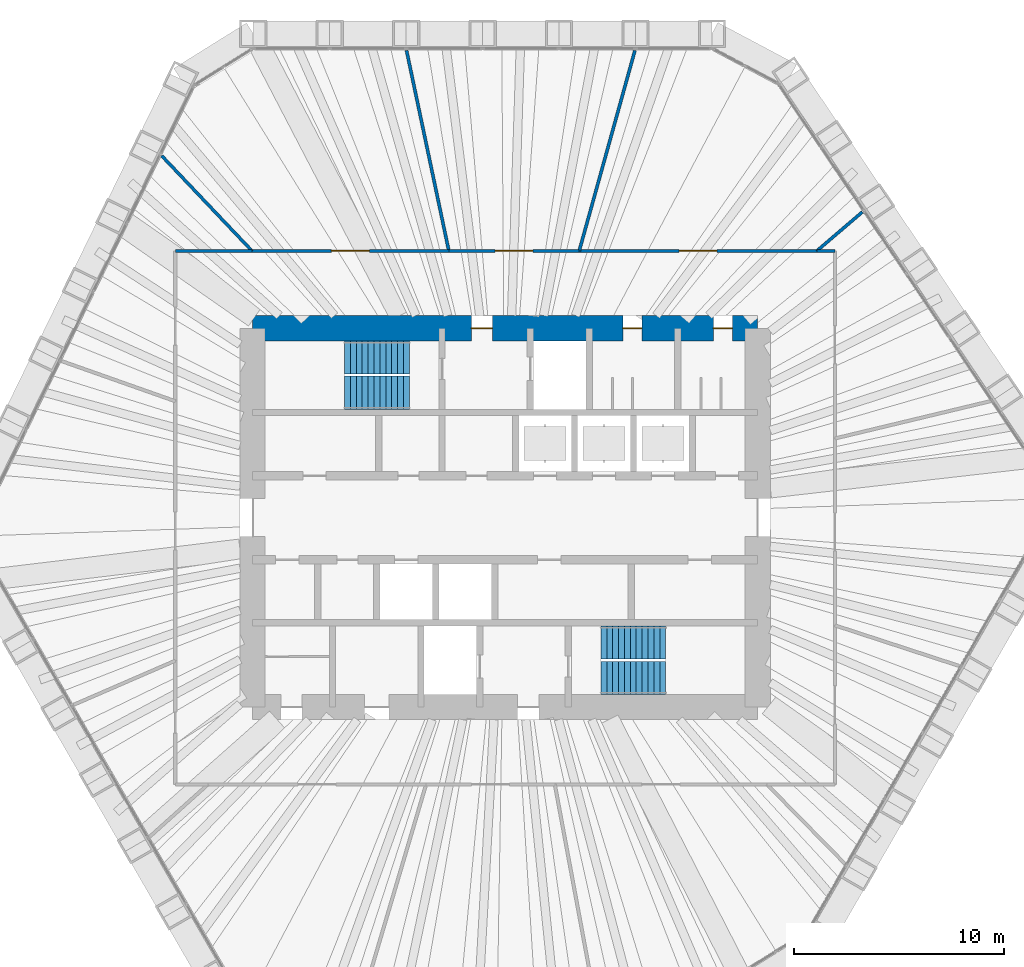
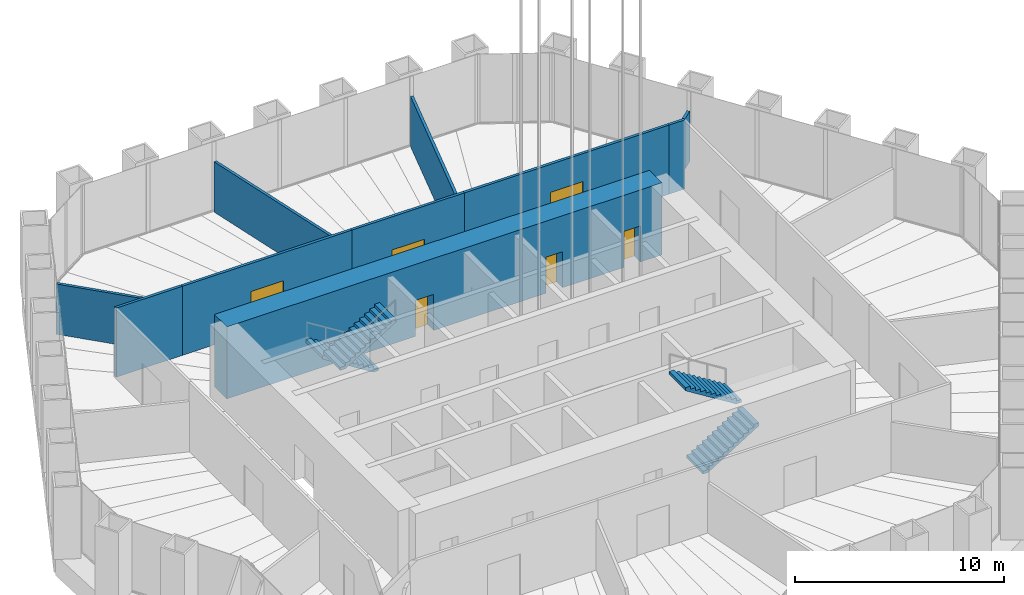
# One storey, part 12 of 20: 10 walls, 6 doors, 4 stair flights, 6 openings, 2 elements without a shape of their own.
"""IFC4 building model written with IfcOpenShell, lengths in metres."""

from ifc_helpers import new_model, si_unit, direction, frame, frame_2d, origin, place, context, subcontext, project, spatial, polyline, rectangle, outline, extrude, material, layer, layer_set, type_object, element, fill, aggregate, save


model = new_model("IFC4")

# Units and contexts
model_context = context("Model", 3, precision=1e-05, world=origin(), true_north=direction((0.0, 1.0)))
body_context = subcontext(model_context, "Body", "Model", "MODEL_VIEW")
ifc_project = project(units=[si_unit("LENGTHUNIT", "METRE"), si_unit("AREAUNIT", "SQUARE_METRE"), si_unit("VOLUMEUNIT", "CUBIC_METRE"), si_unit("PLANEANGLEUNIT", "RADIAN"), si_unit("MASSUNIT", "GRAM", prefix="KILO")], contexts=[model_context])

# Site, building, storey
site_placement = place(None, origin())
site = spatial("IfcSite", under=ifc_project, at=site_placement, CompositionType="ELEMENT")
building_placement = place(site_placement, origin())
building = spatial("IfcBuilding", under=site, at=building_placement, Name="Qingtian Harvest Tower", CompositionType="ELEMENT")
storey_placement = place(building_placement, frame((0.0, 0.0, 180.39990234375)))
storey = spatial("IfcBuildingStorey", under=building, at=storey_placement, Name="L38", CompositionType="ELEMENT", Elevation=180.39990234375)

# Wall, openings, doors
ifc_material_1 = material(Name="Concrete fc' 70 MPa", Category="concrete")
ifc_layer_1 = layer(ifc_material_1, 1.199951171875)
ifc_layer_set_1 = layer_set([ifc_layer_1], Name="Core wall RC2 1200")
wall_type_1 = type_object("IfcWallType", Name="Core wall RC2 1200", PredefinedType="SHEAR", material=ifc_layer_set_1)
wall_1_placement = place(storey_placement, frame((-12.0, 9.0, 0.0), z_axis=(0.0, 0.0, 1.0), x_axis=(1.0, 0.0, 0.0)))
wall_1 = element("IfcWall", 1, at=wall_1_placement, inside=storey, type_object=wall_type_1, Name="Core wall CN L38", PredefinedType="SHEAR", context=body_context, shape_type="SweptSolid", body=[
    extrude(rectangle(XDim=24.0, YDim=1.199951171875, at=frame_2d((12.0, 0.0))), origin(), (0.0, 0.0, 1.0), 4.2001953125),
])
opening_1_placement = place(wall_1_placement, frame((10.39990234375, 0.0, 0.0)))
opening_1 = element("IfcOpeningElement", 2, at=opening_1_placement, cuts=wall_1, Name="Opening FD1", PredefinedType="OPENING", context=body_context, shape_type="SweptSolid", body=[
    extrude(rectangle(XDim=1.0, YDim=2.10009765625, at=frame_2d((0.5, 1.050048828125))), frame((0.0, 0.60986328125, 0.0), z_axis=(0.0, -1.0, 0.0), x_axis=(1.0, 0.0, 0.0)), (0.0, 0.0, 1.0), 1.219970703125),
])
opening_2_placement = place(wall_1_placement, frame((17.60009765625, 0.0, 0.0)))
opening_2 = element("IfcOpeningElement", 3, at=opening_2_placement, cuts=wall_1, Name="Opening D1", PredefinedType="OPENING", context=body_context, shape_type="SweptSolid", body=[
    extrude(rectangle(XDim=0.89990234375, YDim=2.10009765625, at=frame_2d((0.449951171875, 1.050048828125))), frame((0.0, 0.60986328125, 0.0), z_axis=(0.0, -1.0, 0.0), x_axis=(1.0, 0.0, 0.0)), (0.0, 0.0, 1.0), 1.219970703125),
])
opening_3_placement = place(wall_1_placement, frame((21.89990234375, 0.0, 0.0)))
opening_3 = element("IfcOpeningElement", 4, at=opening_3_placement, cuts=wall_1, Name="Opening D1", PredefinedType="OPENING", context=body_context, shape_type="SweptSolid", body=[
    extrude(rectangle(XDim=0.89990234375, YDim=2.10009765625, at=frame_2d((0.449951171875, 1.050048828125))), frame((0.0, 0.60986328125, 0.0), z_axis=(0.0, -1.0, 0.0), x_axis=(1.0, 0.0, 0.0)), (0.0, 0.0, 1.0), 1.219970703125),
])
ifc_material_2 = material(Name="Steel-faced door leaf", Category="steel")
door_type_1 = type_object("IfcDoorType", Name="Fire door FD1 single 1 HR", OperationType="SINGLE_SWING_LEFT", PredefinedType="DOOR", material=ifc_material_2)
door_1_placement = place(opening_1_placement, origin())
door_1 = element("IfcDoor", 5, at=door_1_placement, inside=storey, type_object=door_type_1, Name="V1 door L38", OperationType="SINGLE_SWING_RIGHT", OverallHeight=2.10009765625, OverallWidth=1.0, PredefinedType="DOOR", context=body_context, shape_type="SweptSolid", body=[
    extrude(rectangle(XDim=1.0, YDim=2.10009765625, at=frame_2d((0.5, 1.050048828125))), frame((0.0, 0.02490234375, 0.0), z_axis=(0.0, -1.0, 0.0), x_axis=(1.0, 0.0, 0.0)), (0.0, 0.0, 1.0), 0.050048828125),
])
fill(opening_1, door_1)
ifc_material_3 = material(Name="Laminated timber door leaf", Category="wood")
door_type_2 = type_object("IfcDoorType", Name="Toilet door D1 single", OperationType="SINGLE_SWING_LEFT", PredefinedType="DOOR", material=ifc_material_3)
door_2_placement = place(opening_2_placement, origin())
door_2 = element("IfcDoor", 6, at=door_2_placement, inside=storey, type_object=door_type_2, Name="WCM door L38", OperationType="SINGLE_SWING_RIGHT", OverallHeight=2.10009765625, OverallWidth=0.89990234375, PredefinedType="DOOR", context=body_context, shape_type="SweptSolid", body=[
    extrude(rectangle(XDim=0.89990234375, YDim=2.10009765625, at=frame_2d((0.449951171875, 1.050048828125))), frame((0.0, 0.02490234375, 0.0), z_axis=(0.0, -1.0, 0.0), x_axis=(1.0, 0.0, 0.0)), (0.0, 0.0, 1.0), 0.050048828125),
])
fill(opening_2, door_2)
door_3_placement = place(opening_3_placement, origin())
door_3 = element("IfcDoor", 7, at=door_3_placement, inside=storey, type_object=door_type_2, Name="WCF door L38", OperationType="SINGLE_SWING_RIGHT", OverallHeight=2.10009765625, OverallWidth=0.89990234375, PredefinedType="DOOR", context=body_context, shape_type="SweptSolid", body=[
    extrude(rectangle(XDim=0.89990234375, YDim=2.10009765625, at=frame_2d((0.449951171875, 1.050048828125))), frame((0.0, 0.02490234375, 0.0), z_axis=(0.0, -1.0, 0.0), x_axis=(1.0, 0.0, 0.0)), (0.0, 0.0, 1.0), 0.050048828125),
])
fill(opening_3, door_3)

# Walls
ifc_material_4 = material(Name="Fire-rated gypsum board on steel studs", Category="steel")
ifc_layer_2 = layer(ifc_material_4, 0.14990234375)
ifc_layer_set_2 = layer_set([ifc_layer_2], Name="Fire partition FW3 150 1 HR")
wall_type_2 = type_object("IfcWallType", Name="Fire partition FW3 150 1 HR", PredefinedType="PARTITIONING", material=ifc_layer_set_2)
wall_2_placement = place(storey_placement, frame((16.978759765625, 14.529052734375, 0.0), z_axis=(0.0, 0.0, 1.0), x_axis=(-0.759812303941, -0.650142494212, 0.0)))
element("IfcWall", 8, at=wall_2_placement, inside=storey, type_object=wall_type_2, Name="Sky lobby lounge wall L38", PredefinedType="PARTITIONING", context=body_context, shape_type="SweptSolid", body=[
    extrude(rectangle(XDim=2.851806640625, YDim=0.14990234375, at=frame_2d((1.42578125, 0.0))), origin(), (0.0, 0.0, 1.0), 2.93017578125),
])
wall_3_placement = place(storey_placement, frame((14.81201171875, 12.675048828125, 0.0), z_axis=(0.0, 0.0, 1.0), x_axis=(1.0, 0.0, 0.0)))
element("IfcWall", 9, at=wall_3_placement, inside=storey, type_object=wall_type_2, Name="Sky lobby lounge wall L38", PredefinedType="PARTITIONING", context=body_context, shape_type="SweptSolid", body=[
    extrude(rectangle(XDim=0.863037109375, YDim=0.14990234375, at=frame_2d((0.431640625, 0.0))), origin(), (0.0, 0.0, 1.0), 4.030029296875),
])
wall_4_placement = place(storey_placement, frame((-4.684326171875, 22.2021484375, 0.0), z_axis=(0.0, 0.0, 1.0), x_axis=(0.206457797677, -0.978455506284, 0.0)))
element("IfcWall", 10, at=wall_4_placement, inside=storey, type_object=wall_type_2, Name="Sky lobby lounge wall L38", PredefinedType="PARTITIONING", context=body_context, shape_type="SweptSolid", body=[
    extrude(rectangle(XDim=9.73681640625, YDim=0.14990234375, at=frame_2d((4.868408203125, 0.0))), origin(), (0.0, 0.0, 1.0), 2.93017578125),
])

# Wall, opening, door
wall_5_placement = place(storey_placement, frame((-2.674072265625, 12.675048828125, 0.0), z_axis=(0.0, 0.0, 1.0), x_axis=(1.0, 0.0, 0.0)))
wall_5 = element("IfcWall", 11, at=wall_5_placement, inside=storey, type_object=wall_type_2, Name="Sky lobby lounge wall L38", PredefinedType="PARTITIONING", context=body_context, shape_type="SweptSolid", body=[
    extrude(rectangle(XDim=6.195556640625, YDim=0.14990234375, at=frame_2d((3.09765625, 0.0))), origin(), (0.0, 0.0, 1.0), 4.030029296875),
])
opening_4_placement = place(wall_5_placement, frame((2.197998046875, 0.0, 0.0)))
opening_4 = element("IfcOpeningElement", 12, at=opening_4_placement, cuts=wall_5, Name="Opening FD2", PredefinedType="OPENING", context=body_context, shape_type="SweptSolid", body=[
    extrude(rectangle(XDim=1.800048828125, YDim=2.10009765625, at=frame_2d((0.89990234375, 1.050048828125))), frame((0.0, 0.0849609375, 0.0), z_axis=(0.0, -1.0, 0.0), x_axis=(1.0, 0.0, 0.0)), (0.0, 0.0, 1.0), 0.169921875),
])
ifc_material_5 = material(Name="Steel-faced door leaf", Category="steel")
door_type_3 = type_object("IfcDoorType", Name="Fire door FD2 double 1 HR", OperationType="DOUBLE_DOOR_DOUBLE_SWING", PredefinedType="DOOR", material=ifc_material_5)
door_4_placement = place(opening_4_placement, origin())
door_4 = element("IfcDoor", 13, at=door_4_placement, inside=storey, type_object=door_type_3, Name="Sky lobby lounge door L38", OperationType="DOUBLE_DOOR_DOUBLE_SWING", OverallHeight=2.10009765625, OverallWidth=1.800048828125, PredefinedType="DOOR", context=body_context, shape_type="SweptSolid", body=[
    extrude(rectangle(XDim=1.800048828125, YDim=2.10009765625, at=frame_2d((0.89990234375, 1.050048828125))), frame((0.0, 0.02490234375, 0.0), z_axis=(0.0, -1.0, 0.0), x_axis=(1.0, 0.0, 0.0)), (0.0, 0.0, 1.0), 0.050048828125),
])
fill(opening_4, door_4)

# Walls
wall_6_placement = place(storey_placement, frame((6.1689453125, 22.20361328125, 0.0), z_axis=(0.0, 0.0, 1.0), x_axis=(-0.267703705781, -0.963501284852, 0.0)))
element("IfcWall", 14, at=wall_6_placement, inside=storey, type_object=wall_type_2, Name="Business centre wall L38", PredefinedType="PARTITIONING", context=body_context, shape_type="SweptSolid", body=[
    extrude(rectangle(XDim=9.889404296875, YDim=0.14990234375, at=frame_2d((4.94482421875, 0.0))), origin(), (0.0, 0.0, 1.0), 2.93017578125),
])
ifc_material_6 = material(Name="Gypsum board on steel studs", Category="steel")
ifc_layer_3 = layer(ifc_material_6, 0.14990234375)
ifc_layer_set_3 = layer_set([ifc_layer_3], Name="Partition PT1 150")
wall_type_3 = type_object("IfcWallType", Name="Partition PT1 150", PredefinedType="PARTITIONING", material=ifc_layer_set_3)
wall_7_placement = place(storey_placement, frame((-15.675048828125, 12.675048828125, 0.0), z_axis=(0.0, 0.0, 1.0), x_axis=(1.0, 0.0, 0.0)))
element("IfcWall", 15, at=wall_7_placement, inside=storey, type_object=wall_type_3, Name="Training room wall L38", PredefinedType="PARTITIONING", context=body_context, shape_type="SweptSolid", body=[
    extrude(rectangle(XDim=3.647705078125, YDim=0.14990234375, at=frame_2d((1.82373046875, 0.0))), origin(), (0.0, 0.0, 1.0), 4.030029296875),
])
wall_8_placement = place(storey_placement, frame((-16.31884765625, 17.19775390625, 0.0), z_axis=(0.0, 0.0, 1.0), x_axis=(0.688322255965, -0.725405039922, 0.0)))
element("IfcWall", 16, at=wall_8_placement, inside=storey, type_object=wall_type_3, Name="Training room wall L38", PredefinedType="PARTITIONING", context=body_context, shape_type="SweptSolid", body=[
    extrude(rectangle(XDim=6.234619140625, YDim=0.14990234375, at=frame_2d((3.1171875, 0.0))), origin(), (0.0, 0.0, 1.0), 2.93017578125),
])

# Wall, opening, door
wall_9_placement = place(storey_placement, frame((-12.02734375, 12.675048828125, 0.0), z_axis=(0.0, 0.0, 1.0), x_axis=(1.0, 0.0, 0.0)))
wall_9 = element("IfcWall", 17, at=wall_9_placement, inside=storey, type_object=wall_type_3, Name="Training room wall L38", PredefinedType="PARTITIONING", context=body_context, shape_type="SweptSolid", body=[
    extrude(rectangle(XDim=9.353271484375, YDim=0.14990234375, at=frame_2d((4.6767578125, 0.0))), origin(), (0.0, 0.0, 1.0), 4.030029296875),
])
opening_5_placement = place(wall_9_placement, frame((3.776611328125, 0.0, 0.0)))
opening_5 = element("IfcOpeningElement", 18, at=opening_5_placement, cuts=wall_9, Name="Opening D3", PredefinedType="OPENING", context=body_context, shape_type="SweptSolid", body=[
    extrude(rectangle(XDim=1.800048828125, YDim=2.39990234375, at=frame_2d((0.89990234375, 1.199951171875))), frame((0.0, 0.0849609375, 0.0), z_axis=(0.0, -1.0, 0.0), x_axis=(1.0, 0.0, 0.0)), (0.0, 0.0, 1.0), 0.169921875),
])
ifc_material_7 = material(Name="Laminated timber door leaf", Category="wood")
door_type_4 = type_object("IfcDoorType", Name="Room door D3 double", OperationType="DOUBLE_DOOR_DOUBLE_SWING", PredefinedType="DOOR", material=ifc_material_7)
door_5_placement = place(opening_5_placement, origin())
door_5 = element("IfcDoor", 19, at=door_5_placement, inside=storey, type_object=door_type_4, Name="Training room door L38", OperationType="DOUBLE_DOOR_DOUBLE_SWING", OverallHeight=2.39990234375, OverallWidth=1.800048828125, PredefinedType="DOOR", context=body_context, shape_type="SweptSolid", body=[
    extrude(rectangle(XDim=1.800048828125, YDim=2.39990234375, at=frame_2d((0.89990234375, 1.199951171875))), frame((0.0, 0.02490234375, 0.0), z_axis=(0.0, -1.0, 0.0), x_axis=(1.0, 0.0, 0.0)), (0.0, 0.0, 1.0), 0.050048828125),
])
fill(opening_5, door_5)

wall_10_placement = place(storey_placement, frame((3.521484375, 12.675048828125, 0.0), z_axis=(0.0, 0.0, 1.0), x_axis=(1.0, 0.0, 0.0)))
wall_10 = element("IfcWall", 20, at=wall_10_placement, inside=storey, type_object=wall_type_3, Name="Business centre wall L38", PredefinedType="PARTITIONING", context=body_context, shape_type="SweptSolid", body=[
    extrude(rectangle(XDim=11.29052734375, YDim=0.14990234375, at=frame_2d((5.645263671875, 0.0))), origin(), (0.0, 0.0, 1.0), 4.030029296875),
])
opening_6_placement = place(wall_10_placement, frame((4.7451171875, 0.0, 0.0)))
opening_6 = element("IfcOpeningElement", 21, at=opening_6_placement, cuts=wall_10, Name="Opening D3", PredefinedType="OPENING", context=body_context, shape_type="SweptSolid", body=[
    extrude(rectangle(XDim=1.800048828125, YDim=2.39990234375, at=frame_2d((0.89990234375, 1.199951171875))), frame((0.0, 0.0849609375, 0.0), z_axis=(0.0, -1.0, 0.0), x_axis=(1.0, 0.0, 0.0)), (0.0, 0.0, 1.0), 0.169921875),
])
door_6_placement = place(opening_6_placement, origin())
door_6 = element("IfcDoor", 22, at=door_6_placement, inside=storey, type_object=door_type_4, Name="Business centre door L38", OperationType="DOUBLE_DOOR_DOUBLE_SWING", OverallHeight=2.39990234375, OverallWidth=1.800048828125, PredefinedType="DOOR", context=body_context, shape_type="SweptSolid", body=[
    extrude(rectangle(XDim=1.800048828125, YDim=2.39990234375, at=frame_2d((0.89990234375, 1.199951171875))), frame((0.0, 0.02490234375, 0.0), z_axis=(0.0, -1.0, 0.0), x_axis=(1.0, 0.0, 0.0)), (0.0, 0.0, 1.0), 0.050048828125),
])
fill(opening_6, door_6)

# Stair, stair flights
ifc_material_8 = material(Name="Concrete fc' 35 MPa", Category="concrete")
stair_type = type_object("IfcStairType", Name="Special stair ST4 4200", PredefinedType="HALF_TURN_STAIR", material=ifc_material_8)
stair_1_placement = place(storey_placement, origin())
stair_1 = element("IfcStair", 23, at=stair_1_placement, inside=storey, type_object=stair_type, Name="Special stair S1 L38", PredefinedType="HALF_TURN_STAIR")
ifc_material_9 = material(Name="Concrete fc' 35 MPa", Category="concrete")
stair_flight_type = type_object("IfcStairFlightType", Name="Stair flight SF4 4200", PredefinedType="STRAIGHT", material=ifc_material_9)
stair_flight_1_placement = place(storey_placement, frame((-4.550048828125, 7.612548828125, 0.0), z_axis=(0.0, 0.0, 1.0), x_axis=(-1.0, 0.0, 0.0)))
stair_flight_1 = element("IfcStairFlight", 24, at=stair_flight_1_placement, type_object=stair_flight_type, Name="S1 flight 1", NumberOfRisers=12, NumberOfTreads=11, PredefinedType="STRAIGHT", RiserHeight=0.175, TreadLength=0.28, context=body_context, shape_type="SweptSolid", body=[
    extrude(outline(polyline([(0.0, 0.0), (0.0, 0.175048828125), (0.280029296875, 0.175048828125), (0.280029296875, 0.35009765625), (0.56005859375, 0.35009765625), (0.56005859375, 0.52490234375), (0.840087890625, 0.52490234375), (0.840087890625, 0.699951171875), (1.1201171875, 0.699951171875), (1.1201171875, 0.875), (1.39990234375, 0.875), (1.39990234375, 1.050048828125), (1.679931640625, 1.050048828125), (1.679931640625, 1.22509765625), (1.9599609375, 1.22509765625), (1.9599609375, 1.39990234375), (2.239990234375, 1.39990234375), (2.239990234375, 1.574951171875), (2.52001953125, 1.574951171875), (2.52001953125, 1.75), (2.800048828125, 1.75), (2.800048828125, 1.925048828125), (3.080078125, 1.925048828125), (3.080078125, 2.10009765625), (3.080078125, 1.748291015625), (0.28271484375, 0.0), (0.0, 0.0)])), frame((0.0, 0.78759765625, 0.0), z_axis=(0.0, -1.0, 0.0), x_axis=(1.0, 0.0, 0.0)), (0.0, 0.0, 1.0), 1.574951171875),
])
stair_flight_2_placement = place(storey_placement, frame((-7.6298828125, 5.9375, 2.10009765625), z_axis=(0.0, 0.0, 1.0), x_axis=(1.0, 0.0, 0.0)))
stair_flight_2 = element("IfcStairFlight", 25, at=stair_flight_2_placement, type_object=stair_flight_type, Name="S1 flight 2", NumberOfRisers=12, NumberOfTreads=11, PredefinedType="STRAIGHT", RiserHeight=0.175, TreadLength=0.28, context=body_context, shape_type="SweptSolid", body=[
    extrude(outline(polyline([(0.0, 0.0), (0.0, 0.175048828125), (0.280029296875, 0.175048828125), (0.280029296875, 0.35009765625), (0.56005859375, 0.35009765625), (0.56005859375, 0.52490234375), (0.840087890625, 0.52490234375), (0.840087890625, 0.699951171875), (1.1201171875, 0.699951171875), (1.1201171875, 0.875), (1.39990234375, 0.875), (1.39990234375, 1.050048828125), (1.679931640625, 1.050048828125), (1.679931640625, 1.22509765625), (1.9599609375, 1.22509765625), (1.9599609375, 1.39990234375), (2.239990234375, 1.39990234375), (2.239990234375, 1.574951171875), (2.52001953125, 1.574951171875), (2.52001953125, 1.75), (2.800048828125, 1.75), (2.800048828125, 1.925048828125), (3.080078125, 1.925048828125), (3.080078125, 2.10009765625), (3.080078125, 1.748291015625), (0.28271484375, 0.0), (0.0, 0.0)])), frame((0.0, 0.78759765625, 0.0), z_axis=(0.0, -1.0, 0.0), x_axis=(1.0, 0.0, 0.0)), (0.0, 0.0, 1.0), 1.574951171875),
])
aggregate(stair_1, [stair_flight_1, stair_flight_2])

stair_2_placement = place(storey_placement, origin())
stair_2 = element("IfcStair", 26, at=stair_2_placement, inside=storey, type_object=stair_type, Name="Special stair S2 L38", PredefinedType="HALF_TURN_STAIR")
stair_flight_3_placement = place(storey_placement, frame((4.550048828125, -7.612548828125, 0.0), z_axis=(0.0, 0.0, 1.0), x_axis=(1.0, 0.0, 0.0)))
stair_flight_3 = element("IfcStairFlight", 27, at=stair_flight_3_placement, type_object=stair_flight_type, Name="S2 flight 1", NumberOfRisers=12, NumberOfTreads=11, PredefinedType="STRAIGHT", RiserHeight=0.175, TreadLength=0.28, context=body_context, shape_type="SweptSolid", body=[
    extrude(outline(polyline([(0.0, 0.0), (0.0, 0.175048828125), (0.280029296875, 0.175048828125), (0.280029296875, 0.35009765625), (0.56005859375, 0.35009765625), (0.56005859375, 0.52490234375), (0.840087890625, 0.52490234375), (0.840087890625, 0.699951171875), (1.1201171875, 0.699951171875), (1.1201171875, 0.875), (1.39990234375, 0.875), (1.39990234375, 1.050048828125), (1.679931640625, 1.050048828125), (1.679931640625, 1.22509765625), (1.9599609375, 1.22509765625), (1.9599609375, 1.39990234375), (2.239990234375, 1.39990234375), (2.239990234375, 1.574951171875), (2.52001953125, 1.574951171875), (2.52001953125, 1.75), (2.800048828125, 1.75), (2.800048828125, 1.925048828125), (3.080078125, 1.925048828125), (3.080078125, 2.10009765625), (3.080078125, 1.748291015625), (0.28271484375, 0.0), (0.0, 0.0)])), frame((0.0, 0.78759765625, 0.0), z_axis=(0.0, -1.0, 0.0), x_axis=(1.0, 0.0, 0.0)), (0.0, 0.0, 1.0), 1.574951171875),
])
stair_flight_4_placement = place(storey_placement, frame((7.6298828125, -5.9375, 2.10009765625), z_axis=(0.0, 0.0, 1.0), x_axis=(-1.0, 0.0, 0.0)))
stair_flight_4 = element("IfcStairFlight", 28, at=stair_flight_4_placement, type_object=stair_flight_type, Name="S2 flight 2", NumberOfRisers=12, NumberOfTreads=11, PredefinedType="STRAIGHT", RiserHeight=0.175, TreadLength=0.28, context=body_context, shape_type="SweptSolid", body=[
    extrude(outline(polyline([(0.0, 0.0), (0.0, 0.175048828125), (0.280029296875, 0.175048828125), (0.280029296875, 0.35009765625), (0.56005859375, 0.35009765625), (0.56005859375, 0.52490234375), (0.840087890625, 0.52490234375), (0.840087890625, 0.699951171875), (1.1201171875, 0.699951171875), (1.1201171875, 0.875), (1.39990234375, 0.875), (1.39990234375, 1.050048828125), (1.679931640625, 1.050048828125), (1.679931640625, 1.22509765625), (1.9599609375, 1.22509765625), (1.9599609375, 1.39990234375), (2.239990234375, 1.39990234375), (2.239990234375, 1.574951171875), (2.52001953125, 1.574951171875), (2.52001953125, 1.75), (2.800048828125, 1.75), (2.800048828125, 1.925048828125), (3.080078125, 1.925048828125), (3.080078125, 2.10009765625), (3.080078125, 1.748291015625), (0.28271484375, 0.0), (0.0, 0.0)])), frame((0.0, 0.78759765625, 0.0), z_axis=(0.0, -1.0, 0.0), x_axis=(1.0, 0.0, 0.0)), (0.0, 0.0, 1.0), 1.574951171875),
])
aggregate(stair_2, [stair_flight_3, stair_flight_4])

save(model, "model.ifc")
